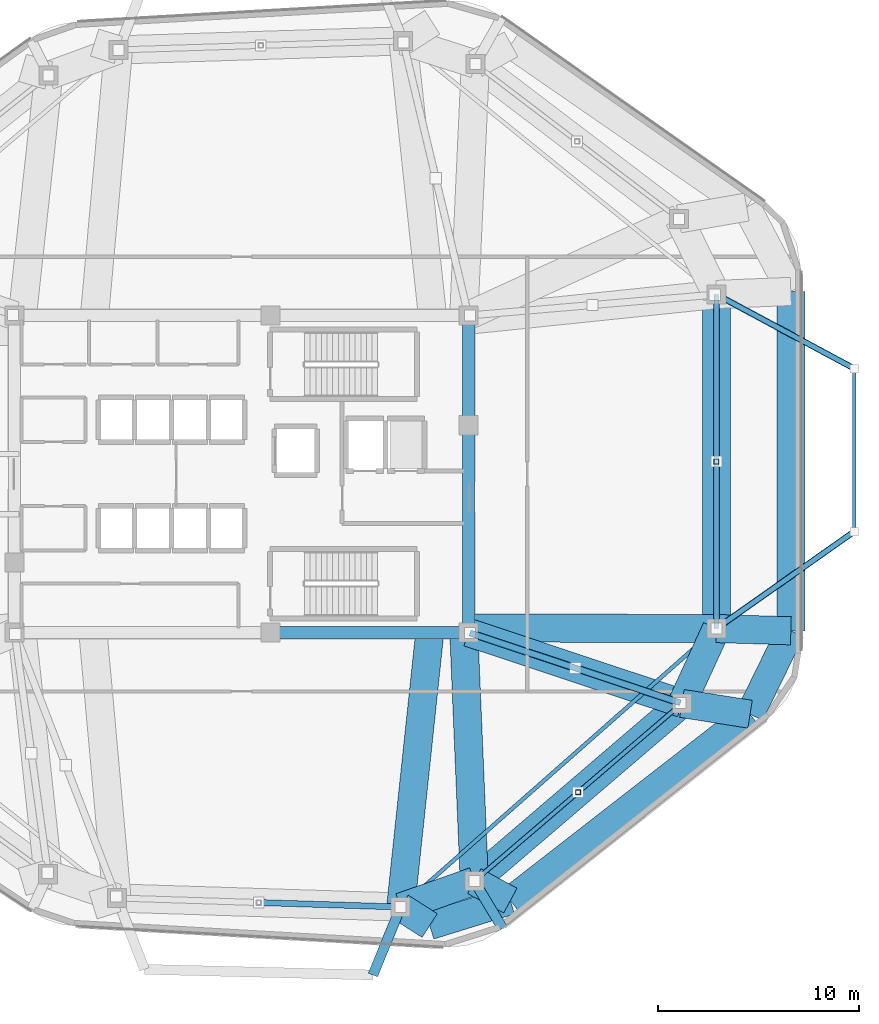
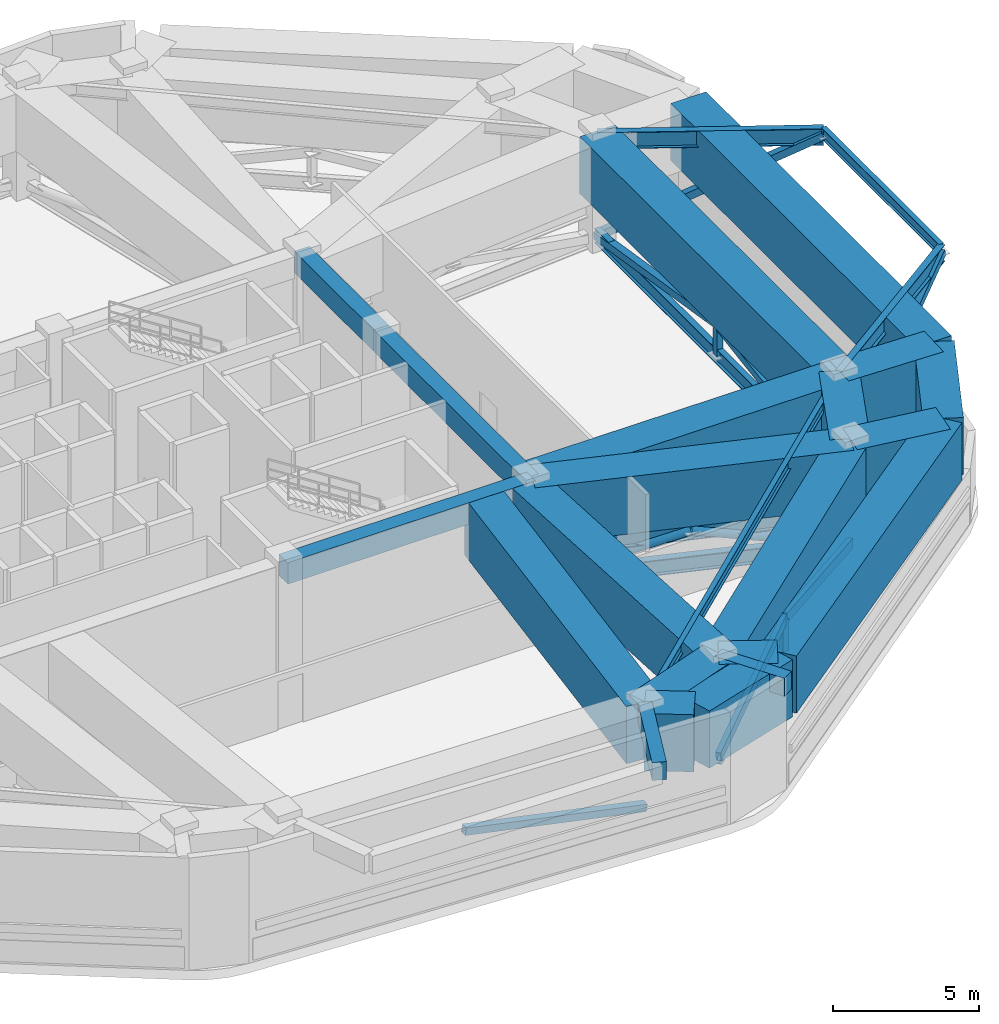
# One storey, part 4 of 13: 25 beams, 15 members.
"""IFC4 building model written with IfcOpenShell, lengths in metres."""

import ifcopenshell
import ifcopenshell.guid

model = None  # the IFC model being written
_history = None  # IfcOwnerHistory: only IFC2X3 demands one
_inside = {}  # id of a spatial element -> (the spatial element, [elements in it])
_under = {}  # id of a project, library or spatial element -> (it, [spatial elements below it])
_declared = {}  # id of a project -> (the project, [libraries it declares])
_typed = {}  # id of a type object -> (the type object, [elements of that type])
_made_of = {}  # id of a material, layer set ... -> (it, [elements and type objects made of it])


def new_model(schema):
    """Start an empty IFC model of exactly this schema.

    Asked for "IFC4X3", IfcOpenShell would pick the latest addendum, in which some entities
    have other attributes; the version numbers below select the first issue.
    IFC2X3 requires an IfcOwnerHistory on every rooted entity: one is made here for all.
    """
    global model, _history
    if schema == "IFC4X3":
        model = ifcopenshell.file(schema_version=(4, 3, 0, 0))
    else:
        model = ifcopenshell.file(schema=schema)
    _inside.clear()
    _under.clear()
    _declared.clear()
    _typed.clear()
    _made_of.clear()
    _history = None
    if model.schema == "IFC2X3":
        org = make("IfcOrganization", Name="unknown")
        user = make(
            "IfcPersonAndOrganization",
            ThePerson=make("IfcPerson", FamilyName="unknown"),
            TheOrganization=org,
        )
        app = make(
            "IfcApplication",
            ApplicationDeveloper=org,
            Version="unknown",
            ApplicationFullName="unknown",
            ApplicationIdentifier="unknown",
        )
        _history = make(
            "IfcOwnerHistory",
            OwningUser=user,
            OwningApplication=app,
            ChangeAction="ADDED",
            CreationDate=0,
        )
    return model


def make(cls, **values):
    """One entity of the class cls with the attributes given. An attribute that is None is left unset."""
    return model.create_entity(
        cls, **{name: value for name, value in values.items() if value is not None}
    )


def rooted(cls, **values):
    """An entity with a GlobalId (a new one), such as an element, a storey or a relation."""
    return make(cls, GlobalId=ifcopenshell.guid.new(), OwnerHistory=_history, **values)


def si_unit(unit_type, name, prefix=None):
    """IfcSIUnit, for example si_unit("LENGTHUNIT", "METRE", prefix="MILLI")."""
    return make("IfcSIUnit", UnitType=unit_type, Prefix=prefix, Name=name)


def assignment(units):
    """IfcUnitAssignment: the units of a project."""
    return None if units is None else make("IfcUnitAssignment", Units=units)


def point(xyz):
    """IfcCartesianPoint."""
    return None if xyz is None else make("IfcCartesianPoint", Coordinates=xyz)


def direction(xyz):
    """IfcDirection."""
    return None if xyz is None else make("IfcDirection", DirectionRatios=xyz)


def frame(location, z_axis=None, x_axis=None):
    """IfcAxis2Placement3D, a coordinate frame: its origin and axes. An axis left out is left unset."""
    return make(
        "IfcAxis2Placement3D",
        Location=point(location),
        Axis=direction(z_axis),
        RefDirection=direction(x_axis),
    )


def frame_2d(location, x_axis=None):
    """IfcAxis2Placement2D, a coordinate frame in the plane: its origin and x axis."""
    return make(
        "IfcAxis2Placement2D", Location=point(location), RefDirection=direction(x_axis)
    )


def origin():
    """The frame at (0, 0, 0) with its axes left unset."""
    return frame((0.0, 0.0, 0.0))


def origin_2d():
    """The frame at (0, 0) in the plane with its x axis left unset."""
    return frame_2d((0.0, 0.0))


def place(relative_to, where):
    """IfcLocalPlacement: puts the frame where relative to a parent placement (None: the world)."""
    return make(
        "IfcLocalPlacement", PlacementRelTo=relative_to, RelativePlacement=where
    )


def context(
    kind, dimensions, precision=None, world=None, true_north=None, identifier=None
):
    """IfcGeometricRepresentationContext, for example the 3D "Model" context."""
    return make(
        "IfcGeometricRepresentationContext",
        ContextIdentifier=identifier,
        ContextType=kind,
        CoordinateSpaceDimension=dimensions,
        Precision=precision,
        WorldCoordinateSystem=world,
        TrueNorth=true_north,
    )


def subcontext(parent, identifier, kind, view, scale=None):
    """IfcGeometricRepresentationSubContext, for example "Body" below "Model"."""
    return make(
        "IfcGeometricRepresentationSubContext",
        ContextIdentifier=identifier,
        ContextType=kind,
        ParentContext=parent,
        TargetScale=scale,
        TargetView=view,
    )


def project(units=None, contexts=None):
    """IfcProject with its units and contexts."""
    return rooted(
        "IfcProject",
        Name="project",
        RepresentationContexts=contexts,
        UnitsInContext=assignment(units),
    )


def spatial(cls, under=None, at=None, **own):
    """A site, building, storey or space (cls), placed at a placement, below another one or the project."""
    s = rooted(cls, ObjectPlacement=at, **own)
    if under is not None:
        _under.setdefault(under.id(), (under, []))[1].append(s)
    return s


def profile(cls, at=None, kind="AREA", **sizes):
    """A parametric profile (cls). Its sizes go by their IFC names, for example OverallWidth=200.0."""
    return make(cls, ProfileType=kind, Position=at, **sizes)


def rectangle(**sizes):
    """IfcRectangleProfileDef."""
    return profile("IfcRectangleProfileDef", **sizes)


def hollow_rectangle(**sizes):
    """IfcRectangleHollowProfileDef."""
    return profile("IfcRectangleHollowProfileDef", **sizes)


def hollow_circle(**sizes):
    """IfcCircleHollowProfileDef."""
    return profile("IfcCircleHollowProfileDef", **sizes)


def i_section(**sizes):
    """IfcIShapeProfileDef."""
    return profile("IfcIShapeProfileDef", **sizes)


def extrude(swept, where, along, depth):
    """IfcExtrudedAreaSolid: the profile swept, set in the frame where, extruded along a direction by depth."""
    return make(
        "IfcExtrudedAreaSolid",
        SweptArea=swept,
        Position=where,
        ExtrudedDirection=direction(along),
        Depth=depth,
    )


def shape(context_of_items, identifier, shape_type, items):
    """IfcShapeRepresentation: the items that make up one representation, for example the "Body"."""
    return make(
        "IfcShapeRepresentation",
        ContextOfItems=context_of_items,
        RepresentationIdentifier=identifier,
        RepresentationType=shape_type,
        Items=items,
    )


def material(Name=None, Category=None):
    """IfcMaterial."""
    return make("IfcMaterial", Name=Name, Category=Category)


def material_profile(
    of_material, cross_section, Name=None, Category=None, Priority=None
):
    """IfcMaterialProfile: a cross section and its material."""
    return make(
        "IfcMaterialProfile",
        Name=Name,
        Material=of_material,
        Profile=cross_section,
        Priority=Priority,
        Category=Category,
    )


def profile_set(profiles, Name=None, composite=None):
    """IfcMaterialProfileSet."""
    return make(
        "IfcMaterialProfileSet",
        Name=Name,
        MaterialProfiles=profiles,
        CompositeProfile=composite,
    )


def made_of(thing, what):
    """Note that an element or type object is made of a material, layer set ...; save() writes the relation."""
    if what is not None:
        _made_of.setdefault(what.id(), (what, []))[1].append(thing)
    return thing


def type_object(cls, material=None, **own):
    """A type object (cls), such as IfcWallType, which elements share."""
    return made_of(rooted(cls, **own), material)


def element(
    cls,
    number,
    at=None,
    inside=None,
    cuts=None,
    type_object=None,
    material=None,
    context=None,
    identifier="Body",
    shape_type=None,
    held_by="IfcProductDefinitionShape",
    body=None,
    shapes=None,
    **own,
):
    """One element of the class cls, such as IfcWall. Its Tag is "e" and its number.

    at: its placement. inside: the storey or other place that contains it. cuts: it is an
    opening in that element (IfcRelVoidsElement). A single representation is given by context,
    identifier, shape_type and body (its items); several are given by shapes. held_by: the class
    of the entity that holds the representations. save() writes the other relations.
    """
    e = rooted(cls, Tag="e%d" % number, ObjectPlacement=at, **own)
    if body is not None:
        shapes = [shape(context, identifier, shape_type, body)]
    if shapes is not None:
        e.Representation = make(held_by, Representations=shapes)
    if inside is not None:
        _inside.setdefault(inside.id(), (inside, []))[1].append(e)
    if cuts is not None:
        rooted(
            "IfcRelVoidsElement", RelatingBuildingElement=cuts, RelatedOpeningElement=e
        )
    if type_object is not None:
        _typed.setdefault(type_object.id(), (type_object, []))[1].append(e)
    return made_of(e, material)


def aggregate(whole, parts):
    """IfcRelAggregates: a whole, such as a stair, and the parts it consists of."""
    return rooted("IfcRelAggregates", RelatingObject=whole, RelatedObjects=parts)


def save(model, path):
    """Write the relations noted so far, then the file.

    IfcRelAggregates (storeys below a building ...), IfcRelContainedInSpatialStructure (elements
    in a storey), IfcRelDefinesByType, IfcRelAssociatesMaterial and IfcRelDeclares: one each for
    every whole, place, type object, material and project.
    """
    for whole, parts in _under.values():
        aggregate(whole, parts)
    for where, things in _inside.values():
        rooted(
            "IfcRelContainedInSpatialStructure",
            RelatedElements=things,
            RelatingStructure=where,
        )
    for kind, things in _typed.values():
        rooted("IfcRelDefinesByType", RelatedObjects=things, RelatingType=kind)
    for what, things in _made_of.values():
        rooted("IfcRelAssociatesMaterial", RelatedObjects=things, RelatingMaterial=what)
    for by, libraries in _declared.values():
        rooted("IfcRelDeclares", RelatingContext=by, RelatedDefinitions=libraries)
    model.write(path)


model = new_model("IFC4")

# Units and contexts
model_context = context("Model", 3, precision=1e-05, world=origin(), true_north=direction((0.0, 1.0)))
body_context = subcontext(model_context, "Body", "Model", "MODEL_VIEW")
ifc_project = project(units=[si_unit("LENGTHUNIT", "METRE"), si_unit("AREAUNIT", "SQUARE_METRE"), si_unit("VOLUMEUNIT", "CUBIC_METRE"), si_unit("PLANEANGLEUNIT", "RADIAN"), si_unit("MASSUNIT", "GRAM", prefix="KILO")], contexts=[model_context])

# Site, building, storey
site_placement = place(None, origin())
site = spatial("IfcSite", under=ifc_project, at=site_placement, CompositionType="ELEMENT")
building_placement = place(site_placement, origin())
building = spatial("IfcBuilding", under=site, at=building_placement, Name="Zulverin Broadcast Headquarters", CompositionType="ELEMENT")
storey_placement = place(building_placement, frame((0.0, 0.0, 220.0)))
storey = spatial("IfcBuildingStorey", under=building, at=storey_placement, Name="L56", CompositionType="ELEMENT", Elevation=220.0)

# Beams
ifc_material_1 = material(Name="Concrete C60/75", Category="concrete")
ifc_material_profile_1 = material_profile(ifc_material_1, rectangle(XDim=0.60009765625, YDim=0.89990234375, at=origin_2d()), Name="Concrete C60/75", Category="concrete")
ifc_profile_set_1 = profile_set([ifc_material_profile_1], Name="Concrete C60/75")
beam_type_1 = type_object("IfcBeamType", Name="BM-CB-600x900", PredefinedType="LINTEL", material=ifc_profile_set_1)
beam_1_placement = place(storey_placement, frame((38.449951171875, 17.324951171875, 4.260009765625), z_axis=(1.0, 0.0, 0.0), x_axis=(0.0, 1.0, 0.0)))
element("IfcBeam", 1, at=beam_1_placement, inside=storey, type_object=beam_type_1, Name="L56 Core Coupling Girder K02-K03", PredefinedType="LINTEL", context=body_context, shape_type="SweptSolid", body=[
    extrude(rectangle(XDim=0.60009765625, YDim=0.89990234375, at=origin_2d()), origin(), (0.0, 0.0, 1.0), 9.824951171875),
])
beam_2_placement = place(storey_placement, frame((48.27490234375, 17.324951171875, 4.260009765625), z_axis=(0.0, 1.0, 0.0), x_axis=(-1.0, 0.0, 0.0)))
element("IfcBeam", 2, at=beam_2_placement, inside=storey, type_object=beam_type_1, Name="L56 Core Coupling Girder K03-K04", PredefinedType="LINTEL", context=body_context, shape_type="SweptSolid", body=[
    extrude(rectangle(XDim=0.60009765625, YDim=0.89990234375, at=origin_2d()), origin(), (0.0, 0.0, 1.0), 10.295166015625),
])
beam_3_placement = place(storey_placement, frame((48.27490234375, 27.6201171875, 4.260009765625), z_axis=(0.0, 1.0, 0.0), x_axis=(-1.0, 0.0, 0.0)))
element("IfcBeam", 3, at=beam_3_placement, inside=storey, type_object=beam_type_1, Name="L56 Core Coupling Girder K04-K05", PredefinedType="LINTEL", context=body_context, shape_type="SweptSolid", body=[
    extrude(rectangle(XDim=0.60009765625, YDim=0.89990234375, at=origin_2d()), origin(), (0.0, 0.0, 1.0), 5.454833984375),
])
ifc_material_2 = material(Name="Concrete C40/50", Category="concrete")
ifc_material_profile_2 = material_profile(ifc_material_2, rectangle(XDim=0.5, YDim=0.75, at=origin_2d()), Name="Concrete C40/50", Category="concrete")
ifc_profile_set_2 = profile_set([ifc_material_profile_2], Name="Concrete C40/50")
beam_type_2 = type_object("IfcBeamType", Name="BM-RC-500x750", PredefinedType="BEAM", material=ifc_profile_set_2)
beam_4_placement = place(storey_placement, frame((48.569580078125, 4.967041015625, 4.3349609375), z_axis=(0.514535185284, -0.857469266566, 0.0), x_axis=(0.857469266566, 0.514535185284, 0.0)))
element("IfcBeam", 4, at=beam_4_placement, inside=storey, type_object=beam_type_2, Name="L57 Plate Overhang Back-Spanned Beam OVR-03", PredefinedType="BEAM", context=body_context, shape_type="SweptSolid", body=[
    extrude(rectangle(XDim=0.5, YDim=0.75, at=origin_2d()), origin(), (0.0, 0.0, 1.0), 2.731689453125),
])
beam_5_placement = place(storey_placement, frame((44.909912109375, 3.68017578125, 4.3349609375), z_axis=(-0.378098417294, -0.925765405942, 0.0), x_axis=(0.925765405942, -0.378098417294, 0.0)))
element("IfcBeam", 5, at=beam_5_placement, inside=storey, type_object=beam_type_2, Name="L57 Balcony Column-Framed Cantilever BAL_S-2", PredefinedType="BEAM", context=body_context, shape_type="SweptSolid", body=[
    extrude(rectangle(XDim=0.5, YDim=0.75, at=origin_2d()), origin(), (0.0, 0.0, 1.0), 3.64697265625),
])
ifc_material_profile_3 = material_profile(ifc_material_1, rectangle(XDim=1.39990234375, YDim=2.39990234375, at=origin_2d()), Name="Concrete C60/75", Category="concrete")
ifc_profile_set_3 = profile_set([ifc_material_profile_3], Name="Concrete C60/75")
beam_type_3 = type_object("IfcBeamType", Name="BM-TG-1400x2400", PredefinedType="USERDEFINED", material=ifc_profile_set_3)
beam_6_placement = place(storey_placement, frame((44.909912109375, 3.68017578125, 3.510009765625), z_axis=(0.943376593622, 0.331723684121, 0.0), x_axis=(-0.331723684121, 0.943376593622, 0.0)))
element("IfcBeam", 6, at=beam_6_placement, inside=storey, type_object=beam_type_3, Name="L56 Perimeter Transfer Ring Girder SP-02", ObjectType="TRANSFER GIRDER", PredefinedType="USERDEFINED", context=body_context, shape_type="SweptSolid", body=[
    extrude(rectangle(XDim=1.39990234375, YDim=2.39990234375, at=origin_2d()), origin(), (0.0, 0.0, 1.0), 3.87939453125),
])
beam_7_placement = place(storey_placement, frame((48.569580078125, 4.967041015625, 3.510009765625), z_axis=(0.759708170965, 0.650264173217, 0.0), x_axis=(-0.650264173217, 0.759708170965, 0.0)))
element("IfcBeam", 7, at=beam_7_placement, inside=storey, type_object=beam_type_3, Name="L56 Perimeter Transfer Ring Girder SP-03", ObjectType="TRANSFER GIRDER", PredefinedType="USERDEFINED", context=body_context, shape_type="SweptSolid", body=[
    extrude(rectangle(XDim=1.39990234375, YDim=2.39990234375, at=origin_2d()), origin(), (0.0, 0.0, 1.0), 13.580810546875),
])
beam_8_placement = place(storey_placement, frame((58.886962890625, 13.798095703125, 3.510009765625), z_axis=(0.418184975358, 0.90836189175, 0.0), x_axis=(-0.90836189175, 0.418184975358, 0.0)))
element("IfcBeam", 8, at=beam_8_placement, inside=storey, type_object=beam_type_3, Name="L56 Perimeter Transfer Ring Girder SP-04", ObjectType="TRANSFER GIRDER", PredefinedType="USERDEFINED", context=body_context, shape_type="SweptSolid", body=[
    extrude(rectangle(XDim=1.39990234375, YDim=2.39990234375, at=origin_2d()), origin(), (0.0, 0.0, 1.0), 4.0966796875),
])
beam_9_placement = place(storey_placement, frame((60.60009765625, 17.519287109375, 3.510009765625), z_axis=(0.0, 1.0, 0.0), x_axis=(-1.0, 0.0, 0.0)))
element("IfcBeam", 9, at=beam_9_placement, inside=storey, type_object=beam_type_3, Name="L56 Perimeter Transfer Ring Girder SP-05", ObjectType="TRANSFER GIRDER", PredefinedType="USERDEFINED", context=body_context, shape_type="SweptSolid", body=[
    extrude(rectangle(XDim=1.39990234375, YDim=2.39990234375, at=origin_2d()), origin(), (0.0, 0.0, 1.0), 16.602294921875),
])
beam_10_placement = place(storey_placement, frame((46.3515625, 17.27490234375, 3.510009765625), z_axis=(-0.105453542874, -0.994424230545, 0.0), x_axis=(0.994424230545, -0.105453542874, 0.0)))
element("IfcBeam", 10, at=beam_10_placement, inside=storey, type_object=beam_type_3, Name="L57 Inner Transfer Back-Span Girder TGI-02", ObjectType="TRANSFER GIRDER", PredefinedType="USERDEFINED", context=body_context, shape_type="SweptSolid", body=[
    extrude(rectangle(XDim=1.39990234375, YDim=2.39990234375, at=origin_2d()), origin(), (0.0, 0.0, 1.0), 13.6708984375),
])
beam_11_placement = place(storey_placement, frame((44.909912109375, 3.68017578125, 3.510009765625), z_axis=(0.842802369692, -0.538223155988, 0.0), x_axis=(0.538223155988, 0.842802369692, 0.0)))
element("IfcBeam", 11, at=beam_11_placement, inside=storey, type_object=beam_type_3, Name="L57 Column-Framed Step Cantilever Girder TGO-02", ObjectType="TRANSFER GIRDER", PredefinedType="USERDEFINED", context=body_context, shape_type="SweptSolid", body=[
    extrude(rectangle(XDim=1.39990234375, YDim=2.39990234375, at=origin_2d()), origin(), (0.0, 0.0, 1.0), 1.71044921875),
])
beam_12_placement = place(storey_placement, frame((46.3515625, 2.759521484375, 3.510009765625), z_axis=(0.955208799219, 0.295932677978, 0.0), x_axis=(-0.295932677978, 0.955208799219, 0.0)))
element("IfcBeam", 12, at=beam_12_placement, inside=storey, type_object=beam_type_3, Name="L57 Step Transfer Ring Girder TGR-02", ObjectType="TRANSFER GIRDER", PredefinedType="USERDEFINED", context=body_context, shape_type="SweptSolid", body=[
    extrude(rectangle(XDim=1.39990234375, YDim=2.39990234375, at=origin_2d()), origin(), (0.0, 0.0, 1.0), 4.197509765625),
])
beam_13_placement = place(storey_placement, frame((48.050048828125, 17.27490234375, 3.510009765625), z_axis=(0.042173778549, -0.99911029041, 0.0), x_axis=(0.99911029041, 0.042173778549, 0.0)))
element("IfcBeam", 13, at=beam_13_placement, inside=storey, type_object=beam_type_3, Name="L57 Inner Transfer Back-Span Girder TGI-03", ObjectType="TRANSFER GIRDER", PredefinedType="USERDEFINED", context=body_context, shape_type="SweptSolid", body=[
    extrude(rectangle(XDim=1.39990234375, YDim=2.39990234375, at=origin_2d()), origin(), (0.0, 0.0, 1.0), 12.31884765625),
])
beam_14_placement = place(storey_placement, frame((48.569580078125, 4.967041015625, 3.510009765625), z_axis=(0.880332382515, -0.47435735084, 0.0), x_axis=(0.47435735084, 0.880332382515, 0.0)))
element("IfcBeam", 14, at=beam_14_placement, inside=storey, type_object=beam_type_3, Name="L57 Column-Framed Step Cantilever Girder TGO-03", ObjectType="TRANSFER GIRDER", PredefinedType="USERDEFINED", context=body_context, shape_type="SweptSolid", body=[
    extrude(rectangle(XDim=1.39990234375, YDim=2.39990234375, at=origin_2d()), origin(), (0.0, 0.0, 1.0), 2.034912109375),
])
beam_15_placement = place(storey_placement, frame((50.361083984375, 4.001708984375, 3.510009765625), z_axis=(0.789463732329, 0.613797210271, 0.0), x_axis=(-0.613797210271, 0.789463732329, 0.0)))
element("IfcBeam", 15, at=beam_15_placement, inside=storey, type_object=beam_type_3, Name="L57 Step Transfer Ring Girder TGR-03", ObjectType="TRANSFER GIRDER", PredefinedType="USERDEFINED", context=body_context, shape_type="SweptSolid", body=[
    extrude(rectangle(XDim=1.39990234375, YDim=2.39990234375, at=origin_2d()), origin(), (0.0, 0.0, 1.0), 15.087646484375),
])
beam_16_placement = place(storey_placement, frame((48.27490234375, 17.324951171875, 3.510009765625), z_axis=(0.948964552547, -0.315382748432, 0.0), x_axis=(0.315382748432, 0.948964552547, 0.0)))
element("IfcBeam", 16, at=beam_16_placement, inside=storey, type_object=beam_type_3, Name="L57 Inner Transfer Back-Span Girder TGI-04", ObjectType="TRANSFER GIRDER", PredefinedType="USERDEFINED", context=body_context, shape_type="SweptSolid", body=[
    extrude(rectangle(XDim=1.39990234375, YDim=2.39990234375, at=origin_2d()), origin(), (0.0, 0.0, 1.0), 11.182861328125),
])
beam_17_placement = place(storey_placement, frame((58.886962890625, 13.798095703125, 3.510009765625), z_axis=(0.987712087412, -0.156284459814, 0.0), x_axis=(0.156284459814, 0.987712087412, 0.0)))
element("IfcBeam", 17, at=beam_17_placement, inside=storey, type_object=beam_type_3, Name="L57 Column-Framed Step Cantilever Girder TGO-04", ObjectType="TRANSFER GIRDER", PredefinedType="USERDEFINED", context=body_context, shape_type="SweptSolid", body=[
    extrude(rectangle(XDim=1.39990234375, YDim=2.39990234375, at=origin_2d()), origin(), (0.0, 0.0, 1.0), 3.427490234375),
])
beam_18_placement = place(storey_placement, frame((62.272216796875, 13.262451171875, 3.510009765625), z_axis=(0.439430258265, 0.898276710219, 0.0), x_axis=(-0.898276710219, 0.439430258265, 0.0)))
element("IfcBeam", 18, at=beam_18_placement, inside=storey, type_object=beam_type_3, Name="L57 Step Transfer Ring Girder TGR-04", ObjectType="TRANSFER GIRDER", PredefinedType="USERDEFINED", context=body_context, shape_type="SweptSolid", body=[
    extrude(rectangle(XDim=1.39990234375, YDim=2.39990234375, at=origin_2d()), origin(), (0.0, 0.0, 1.0), 4.61474609375),
])
beam_19_placement = place(storey_placement, frame((48.324951171875, 17.550048828125, 3.510009765625), z_axis=(0.999996859956, -0.002506008559, 0.0), x_axis=(0.002506008559, 0.999996859956, 0.0)))
element("IfcBeam", 19, at=beam_19_placement, inside=storey, type_object=beam_type_3, Name="L57 Inner Transfer Back-Span Girder TGI-05", ObjectType="TRANSFER GIRDER", PredefinedType="USERDEFINED", context=body_context, shape_type="SweptSolid", body=[
    extrude(rectangle(XDim=1.39990234375, YDim=2.39990234375, at=origin_2d()), origin(), (0.0, 0.0, 1.0), 12.275146484375),
])
beam_20_placement = place(storey_placement, frame((60.60009765625, 17.519287109375, 3.510009765625), z_axis=(0.999545645892, -0.030141363258, 0.0), x_axis=(0.030141363258, 0.999545645892, 0.0)))
element("IfcBeam", 20, at=beam_20_placement, inside=storey, type_object=beam_type_3, Name="L57 Column-Framed Step Cantilever Girder TGO-05", ObjectType="TRANSFER GIRDER", PredefinedType="USERDEFINED", context=body_context, shape_type="SweptSolid", body=[
    extrude(rectangle(XDim=1.39990234375, YDim=2.39990234375, at=origin_2d()), origin(), (0.0, 0.0, 1.0), 3.70166015625),
])
beam_21_placement = place(storey_placement, frame((64.300048828125, 17.40771484375, 3.510009765625), z_axis=(0.0, 1.0, 0.0), x_axis=(-1.0, 0.0, 0.0)))
element("IfcBeam", 21, at=beam_21_placement, inside=storey, type_object=beam_type_3, Name="L57 Step Transfer Ring Girder TGR-05", ObjectType="TRANSFER GIRDER", PredefinedType="USERDEFINED", context=body_context, shape_type="SweptSolid", body=[
    extrude(rectangle(XDim=1.39990234375, YDim=2.39990234375, at=origin_2d()), origin(), (0.0, 0.0, 1.0), 16.867919921875),
])
ifc_material_3 = material(Name="Structural steel S355JR", Category="steel")
ifc_material_profile_4 = material_profile(ifc_material_3, i_section(OverallWidth=0.19287109375, OverallDepth=0.46728515625, WebThickness=0.011474609375, FlangeThickness=0.01953125, at=origin_2d()), Name="Structural steel S355JR", Category="steel")
ifc_profile_set_4 = profile_set([ifc_material_profile_4], Name="Structural steel S355JR")
beam_type_4 = type_object("IfcBeamType", Name="BM-UB-457", PredefinedType="JOIST", material=ifc_profile_set_4)
beam_22_placement = place(storey_placement, frame((44.909912109375, 3.68017578125, 4.476318359375), z_axis=(0.74996043981, 0.661482682102, 0.0), x_axis=(-0.661482682102, 0.74996043981, 0.0)))
element("IfcBeam", 22, at=beam_22_placement, inside=storey, type_object=beam_type_4, Name="L56 Chordal Floor Joist J-01", PredefinedType="JOIST", context=body_context, shape_type="SweptSolid", body=[
    extrude(i_section(OverallWidth=0.19287109375, OverallDepth=0.46728515625, WebThickness=0.011474609375, FlangeThickness=0.01953125, at=origin_2d()), origin(), (0.0, 0.0, 1.0), 20.92138671875),
])
beam_23_placement = place(storey_placement, frame((67.449951171875, 22.340087890625, 4.476318359375), z_axis=(0.0, 1.0, 0.0), x_axis=(-1.0, 0.0, 0.0)))
element("IfcBeam", 23, at=beam_23_placement, inside=storey, type_object=beam_type_4, Name="L57 Studio Box Base Edge Beam SBOX_SKY2_E", PredefinedType="JOIST", context=body_context, shape_type="SweptSolid", body=[
    extrude(i_section(OverallWidth=0.19287109375, OverallDepth=0.46728515625, WebThickness=0.011474609375, FlangeThickness=0.01953125, at=origin_2d()), origin(), (0.0, 0.0, 1.0), 8.099853515625),
])
ifc_material_profile_5 = material_profile(ifc_material_3, i_section(OverallWidth=0.255859375, OverallDepth=0.69287109375, WebThickness=0.014404296875, FlangeThickness=0.023681640625, at=origin_2d()), Name="Structural steel S355JR", Category="steel")
ifc_profile_set_5 = profile_set([ifc_material_profile_5], Name="Structural steel S355JR")
beam_type_5 = type_object("IfcBeamType", Name="BM-UB-686", PredefinedType="BEAM", material=ifc_profile_set_5)
beam_24_placement = place(storey_placement, frame((60.60009765625, 17.519287109375, 4.363525390625), z_axis=(0.817776442274, 0.57553600275, 0.0), x_axis=(-0.57553600275, 0.817776442274, 0.0)))
element("IfcBeam", 24, at=beam_24_placement, inside=storey, type_object=beam_type_5, Name="L57 Studio Box Base Cantilever Girder SBOX_SKY2_E-1", PredefinedType="BEAM", context=body_context, shape_type="SweptSolid", body=[
    extrude(i_section(OverallWidth=0.255859375, OverallDepth=0.69287109375, WebThickness=0.014404296875, FlangeThickness=0.023681640625, at=origin_2d()), origin(), (0.0, 0.0, 1.0), 8.376220703125),
])
beam_25_placement = place(storey_placement, frame((60.60009765625, 34.12158203125, 4.363525390625), z_axis=(0.880832743093, -0.473427585481, 0.0), x_axis=(0.473427585481, 0.880832743093, 0.0)))
element("IfcBeam", 25, at=beam_25_placement, inside=storey, type_object=beam_type_5, Name="L57 Studio Box Base Cantilever Girder SBOX_SKY2_E-2", PredefinedType="BEAM", context=body_context, shape_type="SweptSolid", body=[
    extrude(i_section(OverallWidth=0.255859375, OverallDepth=0.69287109375, WebThickness=0.014404296875, FlangeThickness=0.023681640625, at=origin_2d()), origin(), (0.0, 0.0, 1.0), 7.776611328125),
])

# Members
ifc_material_profile_6 = material_profile(ifc_material_3, i_section(OverallWidth=0.230224609375, OverallDepth=0.6171875, WebThickness=0.01318359375, FlangeThickness=0.022216796875, at=origin_2d()), Name="Structural steel S355JR", Category="steel")
ifc_profile_set_6 = profile_set([ifc_material_profile_6], Name="Structural steel S355JR")
member_type_1 = type_object("IfcMemberType", Name="MBR-BLT-CHORD", PredefinedType="CHORD", material=ifc_profile_set_6)
member_1_placement = place(storey_placement, frame((48.569580078125, 4.967041015625, 0.35009765625), z_axis=(0.759708170965, 0.650264173217, 0.0), x_axis=(-0.650264173217, 0.759708170965, 0.0)))
element("IfcMember", 26, at=member_1_placement, inside=storey, type_object=member_type_1, Name="L56 Belt Truss Bottom Chord BC-02", PredefinedType="CHORD", context=body_context, shape_type="SweptSolid", body=[
    extrude(i_section(OverallWidth=0.230224609375, OverallDepth=0.6171875, WebThickness=0.01318359375, FlangeThickness=0.022216796875, at=origin_2d()), origin(), (0.0, 0.0, 1.0), 13.580810546875),
])
member_2_placement = place(storey_placement, frame((60.60009765625, 17.519287109375, 0.35009765625), z_axis=(0.0, 1.0, 0.0), x_axis=(-1.0, 0.0, 0.0)))
element("IfcMember", 27, at=member_2_placement, inside=storey, type_object=member_type_1, Name="L56 Belt Truss Bottom Chord BC-03", PredefinedType="CHORD", context=body_context, shape_type="SweptSolid", body=[
    extrude(i_section(OverallWidth=0.230224609375, OverallDepth=0.6171875, WebThickness=0.01318359375, FlangeThickness=0.022216796875, at=origin_2d()), origin(), (0.0, 0.0, 1.0), 16.602294921875),
])
ifc_material_profile_7 = material_profile(ifc_material_3, hollow_rectangle(XDim=0.300048828125, YDim=0.300048828125, WallThickness=0.01611328125, at=origin_2d()), Name="Structural steel S355JR", Category="steel")
ifc_profile_set_7 = profile_set([ifc_material_profile_7], Name="Structural steel S355JR")
member_type_2 = type_object("IfcMemberType", Name="MBR-BLT-DIAG1", PredefinedType="BRACE", material=ifc_profile_set_7)
member_3_placement = place(storey_placement, frame((60.60009765625, 17.519287109375, 0.35009765625), z_axis=(0.735894027997, 0.517908667243, 0.436154321259), x_axis=(-0.57553600275, 0.817776442274, 0.0)))
element("IfcMember", 28, at=member_3_placement, inside=storey, type_object=member_type_2, Name="L57 Studio Box Base Knee Brace SBOX_SKY2_E-1", PredefinedType="BRACE", context=body_context, shape_type="SweptSolid", body=[
    extrude(hollow_rectangle(XDim=0.300048828125, YDim=0.300048828125, WallThickness=0.01611328125, at=origin_2d()), origin(), (0.0, 0.0, 1.0), 9.30810546875),
])
member_4_placement = place(storey_placement, frame((60.60009765625, 34.12158203125, 0.35009765625), z_axis=(0.780830984021, -0.41967891218, 0.462787840229), x_axis=(0.473427585481, 0.880832743093, 0.0)))
element("IfcMember", 29, at=member_4_placement, inside=storey, type_object=member_type_2, Name="L57 Studio Box Base Knee Brace SBOX_SKY2_E-2", PredefinedType="BRACE", context=body_context, shape_type="SweptSolid", body=[
    extrude(hollow_rectangle(XDim=0.300048828125, YDim=0.300048828125, WallThickness=0.01611328125, at=origin_2d()), origin(), (0.0, 0.0, 1.0), 8.7724609375),
])
member_5_placement = place(storey_placement, frame((44.909912109375, 3.68017578125, 0.35009765625), z_axis=(-0.982197443989, 0.031152799816, 0.185250328165), x_axis=(-0.031701509724, -0.999497380828, 0.0)))
element("IfcMember", 30, at=member_5_placement, inside=storey, type_object=member_type_2, Name="L56 Belt Truss Diagonal Brace BD-01B", PredefinedType="BRACE", context=body_context, shape_type="SweptSolid", body=[
    extrude(hollow_rectangle(XDim=0.300048828125, YDim=0.300048828125, WallThickness=0.01611328125, at=origin_2d()), origin(), (0.0, 0.0, 1.0), 7.178466796875),
])
member_6_placement = place(storey_placement, frame((60.60009765625, 17.519287109375, 0.35009765625), z_axis=(0.0, 0.987409624195, 0.158184177612), x_axis=(-1.0, 0.0, 0.0)))
element("IfcMember", 31, at=member_6_placement, inside=storey, type_object=member_type_2, Name="L56 Belt Truss Diagonal Brace BD-03A", PredefinedType="BRACE", context=body_context, shape_type="SweptSolid", body=[
    extrude(hollow_rectangle(XDim=0.300048828125, YDim=0.300048828125, WallThickness=0.01611328125, at=origin_2d()), origin(), (0.0, 0.0, 1.0), 8.406982421875),
])
member_7_placement = place(storey_placement, frame((60.60009765625, 34.12158203125, 0.35009765625), z_axis=(0.0, -0.987410350825, 0.158179641813), x_axis=(1.0, 0.0, 0.0)))
element("IfcMember", 32, at=member_7_placement, inside=storey, type_object=member_type_2, Name="L56 Belt Truss Diagonal Brace BD-03B", PredefinedType="BRACE", context=body_context, shape_type="SweptSolid", body=[
    extrude(hollow_rectangle(XDim=0.300048828125, YDim=0.300048828125, WallThickness=0.01611328125, at=origin_2d()), origin(), (0.0, 0.0, 1.0), 8.4072265625),
])
ifc_material_profile_8 = material_profile(ifc_material_3, hollow_rectangle(XDim=0.199951171875, YDim=0.39990234375, WallThickness=0.01611328125, at=origin_2d()), Name="Structural steel S355JR", Category="steel")
ifc_profile_set_8 = profile_set([ifc_material_profile_8], Name="Structural steel S355JR")
member_type_3 = type_object("IfcMemberType", Name="MBR-BLT-DIAG2", PredefinedType="BRACE", material=ifc_profile_set_8)
for number, where, z_axis, x_axis, name in (
    (33, (48.569580078125, 4.967041015625, 0.35009765625), (0.745545411315, 0.638141708899, 0.192190527943), (-0.650264173217, 0.759708170965, 0.0), "L56 Belt Truss Diagonal Brace BD-02A"),
    (34, (58.886962890625, 13.798095703125, 0.35009765625), (-0.745545411315, -0.638141708899, 0.192190527943), (0.650264173217, -0.759708170965, 0.0), "L56 Belt Truss Diagonal Brace BD-02B"),
):
    element("IfcMember", number, at=place(storey_placement, frame(where, z_axis=z_axis, x_axis=x_axis)), inside=storey, type_object=member_type_3, Name=name, PredefinedType="BRACE", context=body_context, shape_type="SweptSolid", body=[
        extrude(hollow_rectangle(XDim=0.199951171875, YDim=0.39990234375, WallThickness=0.01611328125, at=origin_2d()), origin(), (0.0, 0.0, 1.0), 6.91943359375),
    ])
ifc_material_profile_9 = material_profile(ifc_material_3, hollow_rectangle(XDim=0.25, YDim=0.25, WallThickness=0.01611328125, at=origin_2d()), Name="Structural steel S355JR", Category="steel")
ifc_profile_set_9 = profile_set([ifc_material_profile_9], Name="Structural steel S355JR")
member_type_4 = type_object("IfcMemberType", Name="MBR-BLT-POST", PredefinedType="POST", material=ifc_profile_set_9)
for number, where, z_axis, x_axis, name in (
    (35, (53.728271484375, 9.382568359375, 0.35009765625), (0.0, 0.0, 1.0), (1.0, 0.0, 0.0), "L56 Belt Truss King Post BP-02"),
    (36, (60.60009765625, 25.8203125, 0.35009765625), (0.0, 0.0, 1.0), (1.0, 0.0, 0.0), "L56 Belt Truss King Post BP-03"),
):
    element("IfcMember", number, at=place(storey_placement, frame(where, z_axis=z_axis, x_axis=x_axis)), inside=storey, type_object=member_type_4, Name=name, PredefinedType="POST", context=body_context, shape_type="SweptSolid", body=[
        extrude(hollow_rectangle(XDim=0.25, YDim=0.25, WallThickness=0.01611328125, at=origin_2d()), origin(), (0.0, 0.0, 1.0), 1.329833984375),
    ])
ifc_material_4 = material(Name="Structural steel S460M", Category="steel")
ifc_material_profile_10 = material_profile(ifc_material_4, i_section(OverallWidth=0.300048828125, OverallDepth=0.64990234375, WebThickness=0.01611328125, FlangeThickness=0.031005859375, at=origin_2d()), Name="Structural steel S460M", Category="steel")
ifc_profile_set_10 = profile_set([ifc_material_profile_10], Name="Structural steel S460M")
member_type_5 = type_object("IfcMemberType", Name="MBR-OUT-CHORD", PredefinedType="CHORD", material=ifc_profile_set_10)
for number, where, z_axis, x_axis, name in (
    (37, (48.350830078125, 17.2998046875, 0.35009765625), (0.948966421762, -0.31537712404, 0.0), (0.31537712404, 0.948966421762, 0.0), "L56 Outrigger Truss Bottom Chord OC-02"),
    (38, (48.350830078125, 17.2998046875, 1.679931640625), (0.948966421762, -0.31537712404, 0.0), (0.31537712404, 0.948966421762, 0.0), "L56 Outrigger Truss Upper Chord OTC-02"),
):
    element("IfcMember", number, at=place(storey_placement, frame(where, z_axis=z_axis, x_axis=x_axis)), inside=storey, type_object=member_type_5, Name=name, PredefinedType="CHORD", context=body_context, shape_type="SweptSolid", body=[
        extrude(i_section(OverallWidth=0.300048828125, OverallDepth=0.64990234375, WebThickness=0.01611328125, FlangeThickness=0.031005859375, at=origin_2d()), origin(), (0.0, 0.0, 1.0), 11.022705078125),
    ])
ifc_material_profile_11 = material_profile(ifc_material_4, hollow_circle(Radius=0.177734375, WallThickness=0.01611328125, at=origin_2d()), Name="Structural steel S460M", Category="steel")
ifc_profile_set_11 = profile_set([ifc_material_profile_11], Name="Structural steel S460M")
member_type_6 = type_object("IfcMemberType", Name="MBR-OUT-DIAG2", PredefinedType="BRACE", material=ifc_profile_set_11)
member_8_placement = place(storey_placement, frame((48.350830078125, 17.2998046875, 0.35009765625), z_axis=(0.922489429234, -0.306592201659, 0.23455164641), x_axis=(0.315390440727, 0.948961996024, 0.0)))
element("IfcMember", 39, at=member_8_placement, inside=storey, type_object=member_type_6, Name="L56 Outrigger Truss Diagonal Brace OD-02A", PredefinedType="BRACE", context=body_context, shape_type="SweptSolid", body=[
    extrude(hollow_circle(Radius=0.177734375, WallThickness=0.01611328125, at=origin_2d()), origin(), (0.0, 0.0, 1.0), 5.669677734375),
])
member_9_placement = place(storey_placement, frame((58.81103515625, 13.823486328125, 0.35009765625), z_axis=(-0.92249519128, 0.306565365826, 0.234564060634), x_axis=(-0.315363806544, -0.948970847562, 0.0)))
element("IfcMember", 40, at=member_9_placement, inside=storey, type_object=member_type_6, Name="L56 Outrigger Truss Diagonal Brace OD-02B", PredefinedType="BRACE", context=body_context, shape_type="SweptSolid", body=[
    extrude(hollow_circle(Radius=0.177734375, WallThickness=0.01611328125, at=origin_2d()), origin(), (0.0, 0.0, 1.0), 5.66943359375),
])

save(model, "model.ifc")
